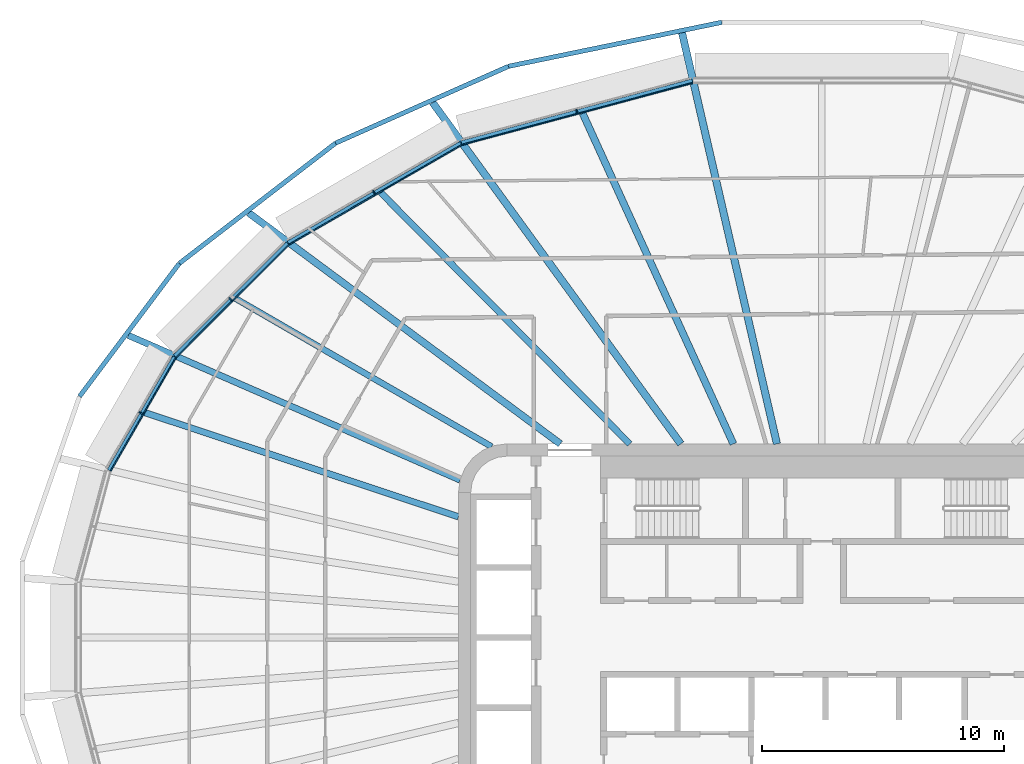
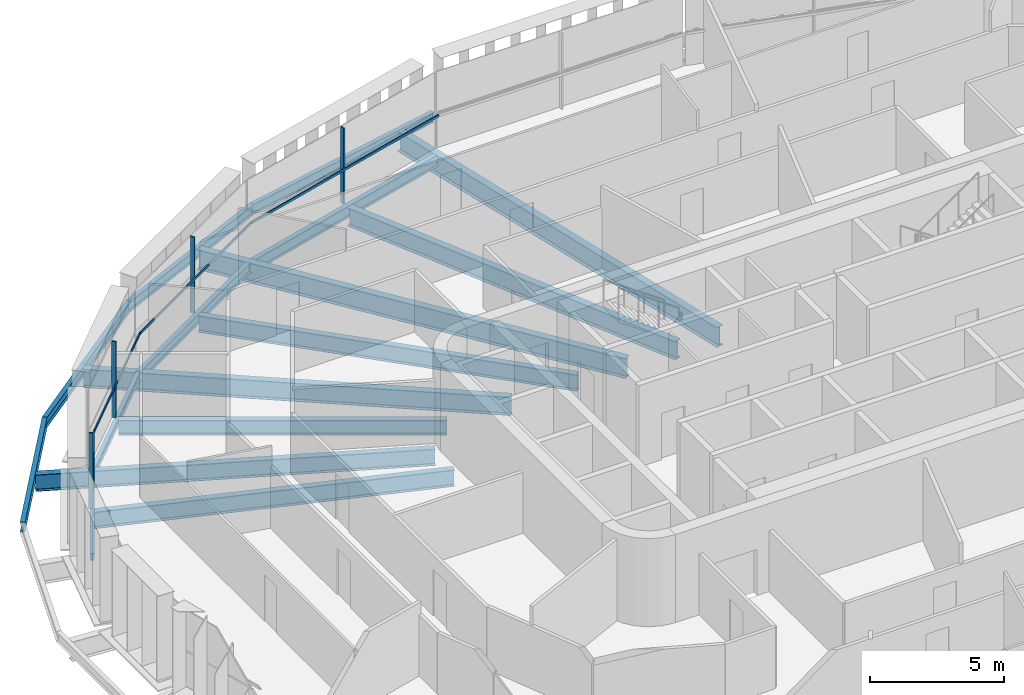
# One storey, part 5 of 22: 16 beams, 8 members, 4 elements without a shape of their own.
"""IFC4 building model written with IfcOpenShell, lengths in metres."""

from ifc_helpers import new_model, si_unit, direction, frame, origin, origin_2d, place, context, subcontext, project, spatial, rectangle, i_section, extrude, material, layer, layer_set, material_profile, profile_set, type_object, element, aggregate, save


model = new_model("IFC4")

# Units and contexts
model_context = context("Model", 3, precision=1e-05, world=origin(), true_north=direction((0.0, 1.0)))
body_context = subcontext(model_context, "Body", "Model", "MODEL_VIEW")
ifc_project = project(units=[si_unit("LENGTHUNIT", "METRE"), si_unit("AREAUNIT", "SQUARE_METRE"), si_unit("VOLUMEUNIT", "CUBIC_METRE"), si_unit("PLANEANGLEUNIT", "RADIAN"), si_unit("MASSUNIT", "GRAM", prefix="KILO")], contexts=[model_context])

# Site, building, storey
site_placement = place(None, origin())
site = spatial("IfcSite", under=ifc_project, at=site_placement, CompositionType="ELEMENT")
building_placement = place(site_placement, origin())
building = spatial("IfcBuilding", under=site, at=building_placement, Name="Sahrelin Media Tower", CompositionType="ELEMENT")
storey_placement = place(building_placement, frame((0.0, 0.0, 189.60009765625)))
storey = spatial("IfcBuildingStorey", under=building, at=storey_placement, Name="L40", CompositionType="ELEMENT", Elevation=189.60009765625)

# Beams
ifc_material_1 = material(Name="Steel S355", Category="steel")
ifc_material_profile_1 = material_profile(ifc_material_1, i_section(OverallWidth=0.1650390625, OverallDepth=0.303466796875, WebThickness=0.006103515625, FlangeThickness=0.01025390625, FilletRadius=0.0087890625, at=origin_2d()), Name="UB 305x165x40")
ifc_profile_set_1 = profile_set([ifc_material_profile_1], Name="Steel S355")
beam_type_1 = type_object("IfcBeamType", Name="Edge beam EB2", PredefinedType="BEAM", material=ifc_profile_set_1)
beam_1_placement = place(storey_placement, frame((-29.43408203125, 6.9072265625, -0.3017578125), z_axis=(0.500016705875, 0.866015758428, 0.0), x_axis=(-0.866015758428, 0.500016705875, 0.0)))
element("IfcBeam", 1, at=beam_1_placement, inside=storey, type_object=beam_type_1, Name="Edge beam L40-15", PredefinedType="BEAM", context=body_context, shape_type="SweptSolid", body=[
    extrude(i_section(OverallWidth=0.1650390625, OverallDepth=0.303466796875, WebThickness=0.006103515625, FlangeThickness=0.01025390625, FilletRadius=0.0087890625, at=origin_2d()), origin(), (0.0, 0.0, 1.0), 5.410400390625),
])
ifc_material_profile_2 = material_profile(ifc_material_1, i_section(OverallWidth=0.17138671875, OverallDepth=0.35498046875, WebThickness=0.00732421875, FlangeThickness=0.011474609375, FilletRadius=0.01025390625, at=origin_2d()), Name="UB 356x171x51")
ifc_profile_set_2 = profile_set([ifc_material_profile_2], Name="Steel S355")
beam_type_2 = type_object("IfcBeamType", Name="Edge beam EB3", PredefinedType="BEAM", material=ifc_profile_set_2)
beam_2_placement = place(storey_placement, frame((-26.711181640625, 11.61572265625, -0.32763671875), z_axis=(0.70708825429, 0.707125307597, 0.0), x_axis=(-0.707125307597, 0.70708825429, 0.0)))
element("IfcBeam", 2, at=beam_2_placement, inside=storey, type_object=beam_type_2, Name="Edge beam L40-16", PredefinedType="BEAM", context=body_context, shape_type="SweptSolid", body=[
    extrude(i_section(OverallWidth=0.17138671875, OverallDepth=0.35498046875, WebThickness=0.00732421875, FlangeThickness=0.011474609375, FilletRadius=0.01025390625, at=origin_2d()), origin(), (0.0, 0.0, 1.0), 6.5888671875),
])
ifc_material_profile_3 = material_profile(ifc_material_1, i_section(OverallWidth=0.1904296875, OverallDepth=0.45703125, WebThickness=0.009033203125, FlangeThickness=0.014404296875, FilletRadius=0.01025390625, at=origin_2d()), Name="UB 457x191x74")
ifc_profile_set_3 = profile_set([ifc_material_profile_3], Name="Steel S355")
beam_type_3 = type_object("IfcBeamType", Name="Edge beam EB5", PredefinedType="BEAM", material=ifc_profile_set_3)
beam_3_placement = place(storey_placement, frame((-22.029296875, 16.292236328125, -0.378662109375), z_axis=(0.8660092336, 0.500028006535, 0.0), x_axis=(-0.500028006535, 0.8660092336, 0.0)))
element("IfcBeam", 3, at=beam_3_placement, inside=storey, type_object=beam_type_3, Name="Edge beam L40-17", PredefinedType="BEAM", context=body_context, shape_type="SweptSolid", body=[
    extrude(i_section(OverallWidth=0.1904296875, OverallDepth=0.45703125, WebThickness=0.009033203125, FlangeThickness=0.014404296875, FilletRadius=0.01025390625, at=origin_2d()), origin(), (0.0, 0.0, 1.0), 8.23046875),
])
ifc_material_profile_4 = material_profile(ifc_material_1, i_section(OverallWidth=0.208740234375, OverallDepth=0.5283203125, WebThickness=0.009521484375, FlangeThickness=0.01318359375, FilletRadius=0.0126953125, at=origin_2d()), Name="UB 533x210x82")
ifc_profile_set_4 = profile_set([ifc_material_profile_4], Name="Steel S355")
beam_type_4 = type_object("IfcBeamType", Name="Edge beam EB6", PredefinedType="BEAM", material=ifc_profile_set_4)
beam_4_placement = place(storey_placement, frame((-14.875, 20.418701171875, -0.414306640625), z_axis=(0.965928634298, 0.258808565244, 0.0), x_axis=(-0.258808565244, 0.965928634298, 0.0)))
element("IfcBeam", 4, at=beam_4_placement, inside=storey, type_object=beam_type_4, Name="Edge beam L40-18", PredefinedType="BEAM", context=body_context, shape_type="SweptSolid", body=[
    extrude(i_section(OverallWidth=0.208740234375, OverallDepth=0.5283203125, WebThickness=0.009521484375, FlangeThickness=0.01318359375, FilletRadius=0.0126953125, at=origin_2d()), origin(), (0.0, 0.0, 1.0), 9.87744140625),
])

# Curtain wall, member
ifc_material_2 = material(Name="Champagne anodised aluminium 6063-T6", Category="aluminium")
ifc_layer = layer(ifc_material_2, 0.14990234375)
ifc_layer_set = layer_set([ifc_layer], Name="Tower ribbon curtain wall")
curtain_wall_type = type_object("IfcCurtainWallType", Name="Tower ribbon curtain wall", PredefinedType="NOTDEFINED", material=ifc_layer_set)
curtain_wall_1_placement = place(storey_placement, frame((-10.143310546875, 21.841796875, 0.0), z_axis=(0.0, 0.0, 1.0), x_axis=(1.0, 0.0, 0.0)))
curtain_wall_1 = element("IfcCurtainWall", 5, at=curtain_wall_1_placement, inside=storey, type_object=curtain_wall_type, Name="L40:CW:L40-07", PredefinedType="NOTDEFINED")
ifc_material_profile_5 = material_profile(ifc_material_2, rectangle(XDim=0.06005859375, YDim=0.175048828125, at=origin_2d()), Name="Mullion 60x175")
ifc_profile_set_5 = profile_set([ifc_material_profile_5], Name="Champagne anodised aluminium 6063-T6")
member_type_1 = type_object("IfcMemberType", Name="Mullion 60x175 CW1B", PredefinedType="MULLION", material=ifc_profile_set_5)
member_1_placement = place(storey_placement, frame((-10.115478515625, 21.73779296875, 0.0), z_axis=(0.0, 0.0, 1.0), x_axis=(-0.965924922834, -0.258822416818, 0.0)))
member_1 = element("IfcMember", 6, at=member_1_placement, type_object=member_type_1, Name="L40:CWM:L40-07", PredefinedType="MULLION", context=body_context, shape_type="SweptSolid", body=[
    extrude(rectangle(XDim=0.06005859375, YDim=0.175048828125, at=origin_2d()), origin(), (0.0, 0.0, 1.0), 3.448486328125),
])

curtain_wall_2_placement = place(storey_placement, frame((-18.54052734375, 18.47998046875, 0.0), z_axis=(0.0, 0.0, 1.0), x_axis=(1.0, 0.0, 0.0)))
curtain_wall_2 = element("IfcCurtainWall", 7, at=curtain_wall_2_placement, inside=storey, type_object=curtain_wall_type, Name="L40:CW:L40-08", PredefinedType="NOTDEFINED")
member_2_placement = place(storey_placement, frame((-18.48681640625, 18.38671875, 0.0), z_axis=(0.0, 0.0, 1.0), x_axis=(-0.86602365845, -0.500003022996, 0.0)))
member_2 = element("IfcMember", 8, at=member_2_placement, type_object=member_type_1, Name="L40:CWM:L40-08", PredefinedType="MULLION", context=body_context, shape_type="SweptSolid", body=[
    extrude(rectangle(XDim=0.06005859375, YDim=0.175048828125, at=origin_2d()), origin(), (0.0, 0.0, 1.0), 3.448486328125),
])

curtain_wall_3_placement = place(storey_placement, frame((-24.48779296875, 14.05126953125, 0.0), z_axis=(0.0, 0.0, 1.0), x_axis=(1.0, 0.0, 0.0)))
curtain_wall_3 = element("IfcCurtainWall", 9, at=curtain_wall_3_placement, inside=storey, type_object=curtain_wall_type, Name="L40:CW:L40-09", PredefinedType="NOTDEFINED")
member_3_placement = place(storey_placement, frame((-24.411865234375, 13.975341796875, 0.0), z_axis=(0.0, 0.0, 1.0), x_axis=(-0.707106781187, -0.707106781187, 0.0)))
member_3 = element("IfcMember", 10, at=member_3_placement, type_object=member_type_1, Name="L40:CWM:L40-09", PredefinedType="MULLION", context=body_context, shape_type="SweptSolid", body=[
    extrude(rectangle(XDim=0.06005859375, YDim=0.175048828125, at=origin_2d()), origin(), (0.0, 0.0, 1.0), 3.448486328125),
])

curtain_wall_4_placement = place(storey_placement, frame((-28.21142578125, 9.324951171875, 0.0), z_axis=(0.0, 0.0, 1.0), x_axis=(1.0, 0.0, 0.0)))
curtain_wall_4 = element("IfcCurtainWall", 11, at=curtain_wall_4_placement, inside=storey, type_object=curtain_wall_type, Name="L40:CW:L40-10", PredefinedType="NOTDEFINED")
member_4_placement = place(storey_placement, frame((-28.118408203125, 9.271240234375, 0.0), z_axis=(0.0, 0.0, 1.0), x_axis=(-0.499996976998, -0.866027149108, 0.0)))
member_4 = element("IfcMember", 12, at=member_4_placement, type_object=member_type_1, Name="L40:CWM:L40-10", PredefinedType="MULLION", context=body_context, shape_type="SweptSolid", body=[
    extrude(rectangle(XDim=0.06005859375, YDim=0.175048828125, at=origin_2d()), origin(), (0.0, 0.0, 1.0), 3.448486328125),
])

# Beams
ifc_material_profile_6 = material_profile(ifc_material_1, i_section(OverallWidth=0.291748046875, OverallDepth=0.8349609375, WebThickness=0.013916015625, FlangeThickness=0.018798828125, FilletRadius=0.017822265625, at=origin_2d()), Name="UB 838x292x176")
ifc_profile_set_6 = profile_set([ifc_material_profile_6], Name="Steel S355")
beam_type_5 = type_object("IfcBeamType", Name="Radial primary beam PB10", PredefinedType="BEAM", material=ifc_profile_set_6)
beam_5_placement = place(storey_placement, frame((-10.793701171875, 8.0, -0.567626953125), z_axis=(-0.803389813403, 0.595453447148, 0.0), x_axis=(-0.595453447148, -0.803389813403, 0.0)))
element("IfcBeam", 13, at=beam_5_placement, inside=storey, type_object=beam_type_5, Name="Radial beam L40-09", PredefinedType="BEAM", context=body_context, shape_type="SweptSolid", body=[
    extrude(i_section(OverallWidth=0.291748046875, OverallDepth=0.8349609375, WebThickness=0.013916015625, FlangeThickness=0.018798828125, FilletRadius=0.017822265625, at=origin_2d()), origin(), (0.0, 0.0, 1.0), 16.023193359375),
])
ifc_material_profile_7 = material_profile(ifc_material_1, i_section(OverallWidth=0.30322265625, OverallDepth=0.903076171875, WebThickness=0.01513671875, FlangeThickness=0.020263671875, FilletRadius=0.01904296875, at=origin_2d()), Name="UB 914x305x201")
ifc_profile_set_7 = profile_set([ifc_material_profile_7], Name="Steel S355")
beam_type_6 = type_object("IfcBeamType", Name="Radial primary beam PB11", PredefinedType="BEAM", material=ifc_profile_set_7)
beam_6_placement = place(storey_placement, frame((-1.846923828125, 8.0, -0.6015625), z_axis=(-0.224946489575, 0.974371118634, 0.0), x_axis=(-0.974371118634, -0.224946489575, 0.0)))
element("IfcBeam", 14, at=beam_6_placement, inside=storey, type_object=beam_type_6, Name="Radial beam L40-07", PredefinedType="BEAM", context=body_context, shape_type="SweptSolid", body=[
    extrude(i_section(OverallWidth=0.30322265625, OverallDepth=0.903076171875, WebThickness=0.01513671875, FlangeThickness=0.020263671875, FilletRadius=0.01904296875, at=origin_2d()), origin(), (0.0, 0.0, 1.0), 17.423828125),
])
beam_7_placement = place(storey_placement, frame((-5.8173828125, 8.0, -0.6015625), z_axis=(-0.588130895743, 0.808765756862, 0.0), x_axis=(-0.808765756862, -0.588130895743, 0.0)))
element("IfcBeam", 15, at=beam_7_placement, inside=storey, type_object=beam_type_6, Name="Radial beam L40-08", PredefinedType="BEAM", context=body_context, shape_type="SweptSolid", body=[
    extrude(i_section(OverallWidth=0.30322265625, OverallDepth=0.903076171875, WebThickness=0.01513671875, FlangeThickness=0.020263671875, FilletRadius=0.01904296875, at=origin_2d()), origin(), (0.0, 0.0, 1.0), 17.43359375),
])
ifc_material_profile_8 = material_profile(ifc_material_1, i_section(OverallWidth=0.26513671875, OverallDepth=0.75390625, WebThickness=0.0126953125, FlangeThickness=0.017578125, FilletRadius=0.0166015625, at=origin_2d()), Name="UB 762x267x147")
ifc_profile_set_8 = profile_set([ifc_material_profile_8], Name="Steel S355")
beam_type_7 = type_object("IfcBeamType", Name="Radial primary beam PB9", PredefinedType="BEAM", material=ifc_profile_set_8)
beam_8_placement = place(storey_placement, frame((-14.93310546875, 6.5078125, -0.527099609375), z_axis=(-0.916726625992, 0.399515072555, 0.0), x_axis=(-0.399515072555, -0.916726625992, 0.0)))
element("IfcBeam", 16, at=beam_8_placement, inside=storey, type_object=beam_type_7, Name="Radial beam L40-10", PredefinedType="BEAM", context=body_context, shape_type="SweptSolid", body=[
    extrude(i_section(OverallWidth=0.26513671875, OverallDepth=0.75390625, WebThickness=0.0126953125, FlangeThickness=0.017578125, FilletRadius=0.0166015625, at=origin_2d()), origin(), (0.0, 0.0, 1.0), 14.955810546875),
])
ifc_material_profile_9 = material_profile(ifc_material_1, i_section(OverallWidth=0.291748046875, OverallDepth=0.8349609375, WebThickness=0.013916015625, FlangeThickness=0.018798828125, FilletRadius=0.017822265625, at=origin_2d()), Name="UB 838x292x176")
ifc_profile_set_9 = profile_set([ifc_material_profile_9], Name="Steel S355")
beam_type_8 = type_object("IfcBeamType", Name="Radial secondary beam SB10", PredefinedType="BEAM", material=ifc_profile_set_9)
beam_9_placement = place(storey_placement, frame((-3.647705078125, 8.0, -0.567626953125), z_axis=(-0.414888908569, 0.909872075374, 0.0), x_axis=(-0.909872075374, -0.414888908569, 0.0)))
element("IfcBeam", 17, at=beam_9_placement, inside=storey, type_object=beam_type_8, Name="Secondary beam L40-07", PredefinedType="BEAM", context=body_context, shape_type="SweptSolid", body=[
    extrude(i_section(OverallWidth=0.291748046875, OverallDepth=0.8349609375, WebThickness=0.013916015625, FlangeThickness=0.018798828125, FilletRadius=0.017822265625, at=origin_2d()), origin(), (0.0, 0.0, 1.0), 15.003173828125),
])
ifc_material_profile_10 = material_profile(ifc_material_1, i_section(OverallWidth=0.2529296875, OverallDepth=0.677978515625, WebThickness=0.01171875, FlangeThickness=0.01611328125, FilletRadius=0.01513671875, at=origin_2d()), Name="UB 686x254x125")
ifc_profile_set_10 = profile_set([ifc_material_profile_10], Name="Steel S355")
beam_type_9 = type_object("IfcBeamType", Name="Radial secondary beam SB8", PredefinedType="BEAM", material=ifc_profile_set_10)
beam_10_placement = place(storey_placement, frame((-13.63134765625, 7.884765625, -0.489013671875), z_axis=(-0.865627368976, 0.500688783658, 0.0), x_axis=(-0.500688783658, -0.865627368976, 0.0)))
element("IfcBeam", 18, at=beam_10_placement, inside=storey, type_object=beam_type_9, Name="Secondary beam L40-09", PredefinedType="BEAM", context=body_context, shape_type="SweptSolid", body=[
    extrude(i_section(OverallWidth=0.2529296875, OverallDepth=0.677978515625, WebThickness=0.01171875, FlangeThickness=0.01611328125, FilletRadius=0.01513671875, at=origin_2d()), origin(), (0.0, 0.0, 1.0), 12.215087890625),
])
ifc_material_profile_11 = material_profile(ifc_material_1, i_section(OverallWidth=0.26513671875, OverallDepth=0.75390625, WebThickness=0.0126953125, FlangeThickness=0.017578125, FilletRadius=0.0166015625, at=origin_2d()), Name="UB 762x267x147")
ifc_profile_set_11 = profile_set([ifc_material_profile_11], Name="Steel S355")
beam_type_10 = type_object("IfcBeamType", Name="Radial secondary beam SB9", PredefinedType="BEAM", material=ifc_profile_set_11)
beam_11_placement = place(storey_placement, frame((-7.927490234375, 8.0, -0.527099609375), z_axis=(-0.70389286124, 0.710306159269, 0.0), x_axis=(-0.710306159269, -0.70389286124, 0.0)))
element("IfcBeam", 19, at=beam_11_placement, inside=storey, type_object=beam_type_10, Name="Secondary beam L40-08", PredefinedType="BEAM", context=body_context, shape_type="SweptSolid", body=[
    extrude(i_section(OverallWidth=0.26513671875, OverallDepth=0.75390625, WebThickness=0.0126953125, FlangeThickness=0.017578125, FilletRadius=0.0166015625, at=origin_2d()), origin(), (0.0, 0.0, 1.0), 14.6181640625),
])
beam_12_placement = place(storey_placement, frame((-15.0, 4.986083984375, -0.527099609375), z_axis=(-0.948949304443, 0.315428625204, 0.0), x_axis=(-0.315428625204, -0.948949304443, 0.0)))
element("IfcBeam", 20, at=beam_12_placement, inside=storey, type_object=beam_type_10, Name="Secondary beam L40-10", PredefinedType="BEAM", context=body_context, shape_type="SweptSolid", body=[
    extrude(i_section(OverallWidth=0.26513671875, OverallDepth=0.75390625, WebThickness=0.0126953125, FlangeThickness=0.017578125, FilletRadius=0.0166015625, at=origin_2d()), origin(), (0.0, 0.0, 1.0), 13.657958984375),
])
ifc_material_profile_12 = material_profile(ifc_material_1, i_section(OverallWidth=0.1904296875, OverallDepth=0.45703125, WebThickness=0.009033203125, FlangeThickness=0.014404296875, FilletRadius=0.01025390625, at=origin_2d()), Name="UB 457x191x74")
ifc_profile_set_12 = profile_set([ifc_material_profile_12], Name="Steel S355")
beam_type_11 = type_object("IfcBeamType", Name="Tie chord TC5", PredefinedType="BEAM", material=ifc_profile_set_12)
beam_13_placement = place(storey_placement, frame((-4.12109375, 25.413818359375, -0.378662109375), z_axis=(-0.979392100264, -0.201968101292, 0.0), x_axis=(0.201968101292, -0.979392100264, 0.0)))
element("IfcBeam", 21, at=beam_13_placement, inside=storey, type_object=beam_type_11, Name="Tie chord L40-07", PredefinedType="BEAM", context=body_context, shape_type="SweptSolid", body=[
    extrude(i_section(OverallWidth=0.1904296875, OverallDepth=0.45703125, WebThickness=0.009033203125, FlangeThickness=0.014404296875, FilletRadius=0.01025390625, at=origin_2d()), origin(), (0.0, 0.0, 1.0), 9.00439453125),
])
beam_14_placement = place(storey_placement, frame((-12.93994140625, 23.59521484375, -0.378662109375), z_axis=(-0.913825725951, -0.40610656556, 0.0), x_axis=(0.40610656556, -0.913825725951, 0.0)))
element("IfcBeam", 22, at=beam_14_placement, inside=storey, type_object=beam_type_11, Name="Tie chord L40-08", PredefinedType="BEAM", context=body_context, shape_type="SweptSolid", body=[
    extrude(i_section(OverallWidth=0.1904296875, OverallDepth=0.45703125, WebThickness=0.009033203125, FlangeThickness=0.014404296875, FilletRadius=0.01025390625, at=origin_2d()), origin(), (0.0, 0.0, 1.0), 7.81103515625),
])
beam_15_placement = place(storey_placement, frame((-20.077880859375, 20.423095703125, -0.378662109375), z_axis=(-0.79244682071, -0.609941010547, 0.0), x_axis=(0.609941010547, -0.79244682071, 0.0)))
element("IfcBeam", 23, at=beam_15_placement, inside=storey, type_object=beam_type_11, Name="Tie chord L40-09", PredefinedType="BEAM", context=body_context, shape_type="SweptSolid", body=[
    extrude(i_section(OverallWidth=0.1904296875, OverallDepth=0.45703125, WebThickness=0.009033203125, FlangeThickness=0.014404296875, FilletRadius=0.01025390625, at=origin_2d()), origin(), (0.0, 0.0, 1.0), 8.146728515625),
])
beam_16_placement = place(storey_placement, frame((-26.53369140625, 15.4541015625, -0.378662109375), z_axis=(-0.600068247982, -0.799948809465, 0.0), x_axis=(0.799948809465, -0.600068247982, 0.0)))
element("IfcBeam", 24, at=beam_16_placement, inside=storey, type_object=beam_type_11, Name="Tie chord L40-10", PredefinedType="BEAM", context=body_context, shape_type="SweptSolid", body=[
    extrude(i_section(OverallWidth=0.1904296875, OverallDepth=0.45703125, WebThickness=0.009033203125, FlangeThickness=0.014404296875, FilletRadius=0.01025390625, at=origin_2d()), origin(), (0.0, 0.0, 1.0), 6.8681640625),
])

# Member
ifc_material_profile_13 = material_profile(ifc_material_2, rectangle(XDim=0.050048828125, YDim=0.110107421875, at=origin_2d()), Name="Transom 50x110")
ifc_profile_set_13 = profile_set([ifc_material_profile_13], Name="Champagne anodised aluminium 6063-T6")
member_type_2 = type_object("IfcMemberType", Name="Transom 50x110 CW1B", PredefinedType="USERDEFINED", material=ifc_profile_set_13)
member_5_placement = place(storey_placement, frame((-5.3310546875, 22.903564453125, 1.599853515625), z_axis=(-0.965921045244, -0.258836887547, 0.0), x_axis=(0.258836887547, -0.965921045244, 0.0)))
member_5 = element("IfcMember", 25, at=member_5_placement, type_object=member_type_2, Name="L40:CWT:L40-07", ObjectType="TRANSOM", PredefinedType="USERDEFINED", context=body_context, shape_type="SweptSolid", body=[
    extrude(rectangle(XDim=0.050048828125, YDim=0.110107421875, at=origin_2d()), origin(), (0.0, 0.0, 1.0), 9.84619140625),
])

aggregate(curtain_wall_1, [member_1, member_5])

member_6_placement = place(storey_placement, frame((-14.880126953125, 20.339111328125, 1.599853515625), z_axis=(-0.866020958405, -0.500007699544, 0.0), x_axis=(0.500007699544, -0.866020958405, 0.0)))
member_6 = element("IfcMember", 26, at=member_6_placement, type_object=member_type_2, Name="L40:CWT:L40-08", ObjectType="TRANSOM", PredefinedType="USERDEFINED", context=body_context, shape_type="SweptSolid", body=[
    extrude(rectangle(XDim=0.050048828125, YDim=0.110107421875, at=origin_2d()), origin(), (0.0, 0.0, 1.0), 8.198974609375),
])

aggregate(curtain_wall_2, [member_2, member_6])

member_7_placement = place(storey_placement, frame((-22.013916015625, 16.214111328125, 1.599853515625), z_axis=(-0.707106781187, -0.707106781187, 0.0), x_axis=(0.707106781187, -0.707106781187, 0.0)))
member_7 = element("IfcMember", 27, at=member_7_placement, type_object=member_type_2, Name="L40:CWT:L40-09", ObjectType="TRANSOM", PredefinedType="USERDEFINED", context=body_context, shape_type="SweptSolid", body=[
    extrude(rectangle(XDim=0.050048828125, YDim=0.110107421875, at=origin_2d()), origin(), (0.0, 0.0, 1.0), 6.557373046875),
])

aggregate(curtain_wall_3, [member_3, member_7])

member_8_placement = place(storey_placement, frame((-26.676025390625, 11.544189453125, 1.599853515625), z_axis=(-0.499985686398, -0.866033667589, 0.0), x_axis=(0.866033667589, -0.499985686398, 0.0)))
member_8 = element("IfcMember", 28, at=member_8_placement, type_object=member_type_2, Name="L40:CWT:L40-10", ObjectType="TRANSOM", PredefinedType="USERDEFINED", context=body_context, shape_type="SweptSolid", body=[
    extrude(rectangle(XDim=0.050048828125, YDim=0.110107421875, at=origin_2d()), origin(), (0.0, 0.0, 1.0), 5.379150390625),
])

aggregate(curtain_wall_4, [member_4, member_8])

save(model, "model.ifc")
